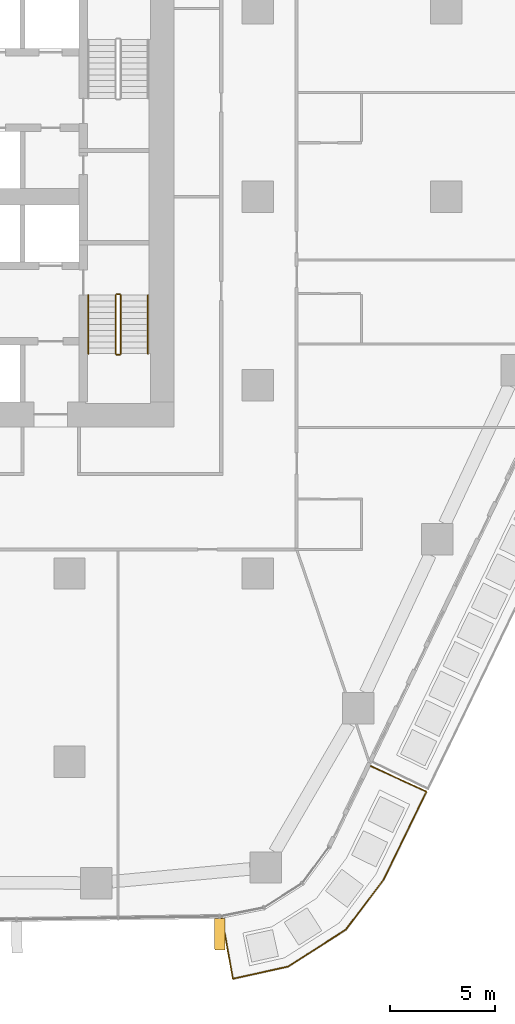
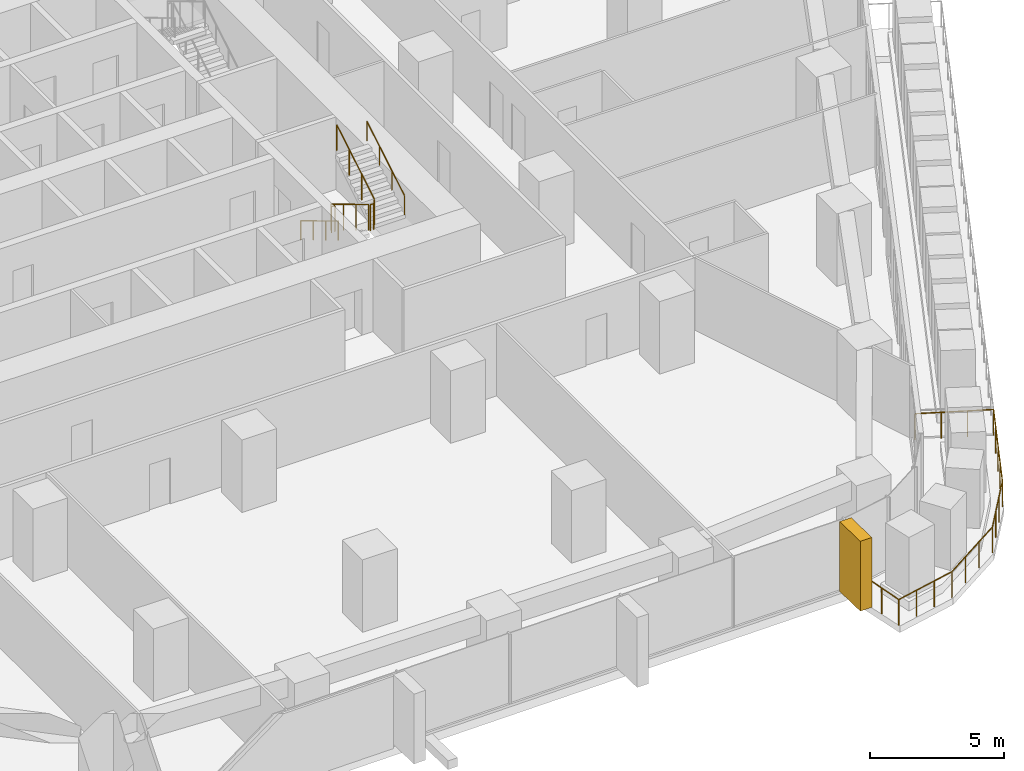
# One storey, part 20 of 24: 7 railings, 1 covering, 1 element without a shape of its own.
"""IFC4 building model written with IfcOpenShell, lengths in metres."""

from ifc_helpers import new_model, si_unit, direction, frame, origin, origin_2d, place, context, subcontext, project, spatial, rectangle, circle, extrude, material, layer, layer_set, material_profile, profile_set, type_object, element, aggregate, save


model = new_model("IFC4")

# Units and contexts
model_context = context("Model", 3, precision=1e-05, world=origin(), true_north=direction((0.0, 1.0)))
body_context = subcontext(model_context, "Body", "Model", "MODEL_VIEW")
ifc_project = project(units=[si_unit("LENGTHUNIT", "METRE"), si_unit("AREAUNIT", "SQUARE_METRE"), si_unit("VOLUMEUNIT", "CUBIC_METRE"), si_unit("PLANEANGLEUNIT", "RADIAN"), si_unit("MASSUNIT", "GRAM", prefix="KILO")], contexts=[model_context])

# Site, building, storey
site_placement = place(None, origin())
site = spatial("IfcSite", under=ifc_project, at=site_placement, CompositionType="ELEMENT")
building_placement = place(site_placement, origin())
building = spatial("IfcBuilding", under=site, at=building_placement, Name="Dongbaek Canopy Tower", CompositionType="ELEMENT")
storey_placement = place(building_placement, frame((0.0, 0.0, 47.699951171875)))
storey = spatial("IfcBuildingStorey", under=building, at=storey_placement, Name="L07", CompositionType="ELEMENT", Elevation=47.699951171875)

# Railing
ifc_material_1 = material(Name="Stainless steel", Category="steel")
railing_type_1 = type_object("IfcRailingType", Name="Balcony balustrade 1200", PredefinedType="BALUSTRADE", material=ifc_material_1)
railing_1_placement = place(storey_placement, frame((16.285400390625, -34.465576171875, 0.0)))
element("IfcRailing", 1, at=railing_1_placement, inside=storey, type_object=railing_type_1, Name="Balcony guard L07 7", PredefinedType="BALUSTRADE", context=body_context, shape_type="SweptSolid", body=[
    extrude(circle(Radius=0.02392578125, at=origin_2d()), frame((0.0, 0.0, 1.17578125), z_axis=(0.177592074624, -0.984104189114, 0.0), x_axis=(0.984104189114, 0.177592074624, 0.0)), (0.0, 0.0, 1.0), 2.9404296875),
    extrude(circle(Radius=0.02392578125, at=origin_2d()), frame((0.522216796875, -2.893798828125, 1.17578125), z_axis=(0.976442797021, 0.215776421663, 0.0), x_axis=(-0.215776421663, 0.976442797021, 0.0)), (0.0, 0.0, 1.0), 2.688232421875),
    extrude(circle(Radius=0.02392578125, at=origin_2d()), frame((3.147216796875, -2.313720703125, 1.17578125), z_axis=(0.843234796524, 0.537545419413, 0.0), x_axis=(-0.537545419413, 0.843234796524, 0.0)), (0.0, 0.0, 1.0), 3.27685546875),
    extrude(circle(Radius=0.02392578125, at=origin_2d()), frame((5.910400390625, -0.55224609375, 1.17578125), z_axis=(0.60281357482, 0.797882067735, 0.0), x_axis=(-0.797882067735, 0.60281357482, 0.0)), (0.0, 0.0, 1.0), 3.0087890625),
    extrude(circle(Radius=0.02392578125, at=origin_2d()), frame((7.72412109375, 1.848388671875, 1.17578125), z_axis=(0.43764971219, 0.899145555191, 0.0), x_axis=(-0.899145555191, 0.43764971219, 0.0)), (0.0, 0.0, 1.0), 4.668701171875),
    extrude(circle(Radius=0.02392578125, at=origin_2d()), frame((9.767333984375, 6.046142578125, 1.17578125), z_axis=(-0.908996672523, 0.416803370119, 0.0), x_axis=(-0.416803370119, -0.908996672523, 0.0)), (0.0, 0.0, 1.0), 2.9404296875),
    extrude(circle(Radius=0.02099609375, at=origin_2d()), origin(), (0.0, 0.0, 1.0), 1.15185546875),
    extrude(circle(Radius=0.02099609375, at=origin_2d()), frame((0.174072265625, -0.964599609375, 0.0)), (0.0, 0.0, 1.0), 1.15185546875),
    extrude(circle(Radius=0.02099609375, at=origin_2d()), frame((0.34814453125, -1.92919921875, 0.0)), (0.0, 0.0, 1.0), 1.15185546875),
    extrude(circle(Radius=0.02099609375, at=origin_2d()), frame((0.522216796875, -2.893798828125, 0.0)), (0.0, 0.0, 1.0), 1.15185546875),
    extrude(circle(Radius=0.02099609375, at=origin_2d()), frame((1.397216796875, -2.700439453125, 0.0)), (0.0, 0.0, 1.0), 1.15185546875),
    extrude(circle(Radius=0.02099609375, at=origin_2d()), frame((2.272216796875, -2.507080078125, 0.0)), (0.0, 0.0, 1.0), 1.15185546875),
    extrude(circle(Radius=0.02099609375, at=origin_2d()), frame((3.147216796875, -2.313720703125, 0.0)), (0.0, 0.0, 1.0), 1.15185546875),
    extrude(circle(Radius=0.02099609375, at=origin_2d()), frame((4.068359375, -1.7265625, 0.0)), (0.0, 0.0, 1.0), 1.15185546875),
    extrude(circle(Radius=0.02099609375, at=origin_2d()), frame((4.9892578125, -1.139404296875, 0.0)), (0.0, 0.0, 1.0), 1.15185546875),
    extrude(circle(Radius=0.02099609375, at=origin_2d()), frame((5.910400390625, -0.55224609375, 0.0)), (0.0, 0.0, 1.0), 1.15185546875),
    extrude(circle(Radius=0.02099609375, at=origin_2d()), frame((6.514892578125, 0.248046875, 0.0)), (0.0, 0.0, 1.0), 1.15185546875),
    extrude(circle(Radius=0.02099609375, at=origin_2d()), frame((7.11962890625, 1.048095703125, 0.0)), (0.0, 0.0, 1.0), 1.15185546875),
    extrude(circle(Radius=0.02099609375, at=origin_2d()), frame((7.72412109375, 1.848388671875, 0.0)), (0.0, 0.0, 1.0), 1.15185546875),
    extrude(circle(Radius=0.02099609375, at=origin_2d()), frame((8.23486328125, 2.89794921875, 0.0)), (0.0, 0.0, 1.0), 1.15185546875),
    extrude(circle(Radius=0.02099609375, at=origin_2d()), frame((8.74560546875, 3.947265625, 0.0)), (0.0, 0.0, 1.0), 1.15185546875),
    extrude(circle(Radius=0.02099609375, at=origin_2d()), frame((9.256591796875, 4.99658203125, 0.0)), (0.0, 0.0, 1.0), 1.15185546875),
    extrude(circle(Radius=0.02099609375, at=origin_2d()), frame((9.767333984375, 6.046142578125, 0.0)), (0.0, 0.0, 1.0), 1.15185546875),
    extrude(circle(Radius=0.02099609375, at=origin_2d()), frame((8.87646484375, 6.45458984375, 0.0)), (0.0, 0.0, 1.0), 1.15185546875),
    extrude(circle(Radius=0.02099609375, at=origin_2d()), frame((7.9853515625, 6.86328125, 0.0)), (0.0, 0.0, 1.0), 1.15185546875),
    extrude(circle(Radius=0.02099609375, at=origin_2d()), frame((7.094482421875, 7.271728515625, 0.0)), (0.0, 0.0, 1.0), 1.15185546875),
])

# Curtain wall, covering
ifc_material_2 = material(Name="Aluminium 6063-T6 pale anodised", Category="aluminium")
ifc_layer = layer(ifc_material_2, 0.199951171875)
ifc_layer_set = layer_set([ifc_layer], Name="CW-1 unitised tower curtain wall")
curtain_wall_type = type_object("IfcCurtainWallType", Name="CW-1 unitised tower curtain wall", PredefinedType="NOTDEFINED", material=ifc_layer_set)
curtain_wall_placement = place(storey_placement, origin())
curtain_wall = element("IfcCurtainWall", 2, at=curtain_wall_placement, inside=storey, type_object=curtain_wall_type, Name="CW-1 curtain wall F4.1", PredefinedType="NOTDEFINED")
ifc_material_3 = material(Name="Aluminium 6063-T6 pale metal fin", Category="aluminium")
ifc_material_profile = material_profile(ifc_material_3, rectangle(XDim=1.5, YDim=0.5, at=origin_2d()), Name="Fin FN1 500 x 1500 pale metal")
ifc_profile_set = profile_set([ifc_material_profile], Name="Aluminium 6063-T6 pale metal fin")
covering_type = type_object("IfcCoveringType", Name="Fin FN1 500 x 1500 pale metal", PredefinedType="CLADDING", material=ifc_profile_set)
covering_placement = place(storey_placement, frame((16.17919921875, -35.2373046875, 0.1201171875), z_axis=(0.0, 0.0, 1.0), x_axis=(0.014618811778, -0.999893139462, 0.0)))
covering = element("IfcCovering", 3, at=covering_placement, type_object=covering_type, Name="Fin F4.1.7", PredefinedType="CLADDING", context=body_context, shape_type="SweptSolid", body=[
    extrude(rectangle(XDim=1.5, YDim=0.5, at=origin_2d()), origin(), (0.0, 0.0, 1.0), 3.179931640625),
])
aggregate(curtain_wall, [covering])

# Railings
ifc_material_4 = material(Name="Stainless steel tube and balusters", Category="steel")
railing_type_2 = type_object("IfcRailingType", Name="Stair guard 1200", PredefinedType="GUARDRAIL", material=ifc_material_4)
railing_2_placement = place(storey_placement, frame((11.199951171875, -4.699951171875, 0.168212890625)))
element("IfcRailing", 4, at=railing_2_placement, inside=storey, type_object=railing_type_2, Name="L07 ST-B stair guard 1", PredefinedType="GUARDRAIL", context=body_context, shape_type="SweptSolid", body=[
    extrude(circle(Radius=0.02392578125, at=origin_2d()), frame((0.0, 0.0, 1.17578125), z_axis=(0.0, -0.857242210791, 0.514913383045), x_axis=(1.0, 0.0, 0.0)), (0.0, 0.0, 1.0), 3.266357421875),
    extrude(circle(Radius=0.02099609375, at=origin_2d()), origin(), (0.0, 0.0, 1.0), 1.15185546875),
    extrude(circle(Radius=0.02099609375, at=origin_2d()), frame((0.0, -0.933349609375, 0.560546875)), (0.0, 0.0, 1.0), 1.15185546875),
    extrude(circle(Radius=0.02099609375, at=origin_2d()), frame((0.0, -1.86669921875, 1.121337890625)), (0.0, 0.0, 1.0), 1.15185546875),
    extrude(circle(Radius=0.02099609375, at=origin_2d()), frame((0.0, -2.800048828125, 1.681884765625)), (0.0, 0.0, 1.0), 1.15185546875),
])
railing_3_placement = place(storey_placement, frame((11.25, -7.550048828125, 1.85009765625)))
element("IfcRailing", 5, at=railing_3_placement, inside=storey, type_object=railing_type_2, Name="L07 ST-B stair guard 2", PredefinedType="GUARDRAIL", context=body_context, shape_type="SweptSolid", body=[
    extrude(circle(Radius=0.02392578125, at=origin_2d()), frame((0.0, 0.0, 1.17578125), z_axis=(1.0, 0.0, 0.0), x_axis=(0.0, 1.0, 0.0)), (0.0, 0.0, 1.0), 0.14990234375),
    extrude(circle(Radius=0.02099609375, at=origin_2d()), origin(), (0.0, 0.0, 1.0), 1.15185546875),
    extrude(circle(Radius=0.02099609375, at=origin_2d()), frame((0.14990234375, 0.0, 0.0)), (0.0, 0.0, 1.0), 1.15185546875),
])
railing_4_placement = place(storey_placement, frame((11.449951171875, -7.5, 2.018310546875)))
element("IfcRailing", 6, at=railing_4_placement, inside=storey, type_object=railing_type_2, Name="L07 ST-B stair guard 3", PredefinedType="GUARDRAIL", context=body_context, shape_type="SweptSolid", body=[
    extrude(circle(Radius=0.02392578125, at=origin_2d()), frame((0.0, 0.0, 1.17578125), z_axis=(0.0, 0.857275202839, 0.514858452973), x_axis=(-1.0, 0.0, 0.0)), (0.0, 0.0, 1.0), 3.26611328125),
    extrude(circle(Radius=0.02099609375, at=origin_2d()), origin(), (0.0, 0.0, 1.0), 1.15185546875),
    extrude(circle(Radius=0.02099609375, at=origin_2d()), frame((0.0, 0.933349609375, 0.560546875)), (0.0, 0.0, 1.0), 1.15185546875),
    extrude(circle(Radius=0.02099609375, at=origin_2d()), frame((0.0, 1.86669921875, 1.12109375)), (0.0, 0.0, 1.0), 1.15185546875),
    extrude(circle(Radius=0.02099609375, at=origin_2d()), frame((0.0, 2.800048828125, 1.681640625)), (0.0, 0.0, 1.0), 1.15185546875),
])
railing_5_placement = place(storey_placement, frame((11.25, -4.64990234375, 0.0)))
element("IfcRailing", 7, at=railing_5_placement, inside=storey, type_object=railing_type_2, Name="L07 ST-B stair guard 4", PredefinedType="GUARDRAIL", context=body_context, shape_type="SweptSolid", body=[
    extrude(circle(Radius=0.02392578125, at=origin_2d()), frame((0.0, 0.0, 1.17578125), z_axis=(1.0, 0.0, 0.0), x_axis=(0.0, 1.0, 0.0)), (0.0, 0.0, 1.0), 0.14990234375),
    extrude(circle(Radius=0.02099609375, at=origin_2d()), origin(), (0.0, 0.0, 1.0), 1.15185546875),
    extrude(circle(Radius=0.02099609375, at=origin_2d()), frame((0.14990234375, 0.0, 0.0)), (0.0, 0.0, 1.0), 1.15185546875),
])
ifc_material_5 = material(Name="Stainless steel tube", Category="steel")
railing_type_3 = type_object("IfcRailingType", Name="Stair handrail 900", PredefinedType="HANDRAIL", material=ifc_material_5)
railing_6_placement = place(storey_placement, frame((9.89990234375, -4.699951171875, 0.168212890625)))
element("IfcRailing", 8, at=railing_6_placement, inside=storey, type_object=railing_type_3, Name="L07 ST-B stair handrail 1", PredefinedType="HANDRAIL", context=body_context, shape_type="SweptSolid", body=[
    extrude(circle(Radius=0.02392578125, at=origin_2d()), frame((0.0, 0.0, 0.8759765625), z_axis=(0.0, -0.857242210791, 0.514913383045), x_axis=(1.0, 0.0, 0.0)), (0.0, 0.0, 1.0), 3.266357421875),
    extrude(circle(Radius=0.02099609375, at=origin_2d()), origin(), (0.0, 0.0, 1.0), 0.851806640625),
    extrude(circle(Radius=0.02099609375, at=origin_2d()), frame((0.0, -0.933349609375, 0.560546875)), (0.0, 0.0, 1.0), 0.851806640625),
    extrude(circle(Radius=0.02099609375, at=origin_2d()), frame((0.0, -1.86669921875, 1.121337890625)), (0.0, 0.0, 1.0), 0.851806640625),
    extrude(circle(Radius=0.02099609375, at=origin_2d()), frame((0.0, -2.800048828125, 1.681884765625)), (0.0, 0.0, 1.0), 0.851806640625),
])
railing_7_placement = place(storey_placement, frame((12.75, -7.5, 2.018310546875)))
element("IfcRailing", 9, at=railing_7_placement, inside=storey, type_object=railing_type_3, Name="L07 ST-B stair handrail 2", PredefinedType="HANDRAIL", context=body_context, shape_type="SweptSolid", body=[
    extrude(circle(Radius=0.02392578125, at=origin_2d()), frame((0.0, 0.0, 0.8759765625), z_axis=(0.0, 0.857275202839, 0.514858452973), x_axis=(-1.0, 0.0, 0.0)), (0.0, 0.0, 1.0), 3.26611328125),
    extrude(circle(Radius=0.02099609375, at=origin_2d()), origin(), (0.0, 0.0, 1.0), 0.851806640625),
    extrude(circle(Radius=0.02099609375, at=origin_2d()), frame((0.0, 0.933349609375, 0.560546875)), (0.0, 0.0, 1.0), 0.851806640625),
    extrude(circle(Radius=0.02099609375, at=origin_2d()), frame((0.0, 1.86669921875, 1.12109375)), (0.0, 0.0, 1.0), 0.851806640625),
    extrude(circle(Radius=0.02099609375, at=origin_2d()), frame((0.0, 2.800048828125, 1.681640625)), (0.0, 0.0, 1.0), 0.851806640625),
])

save(model, "model.ifc")
